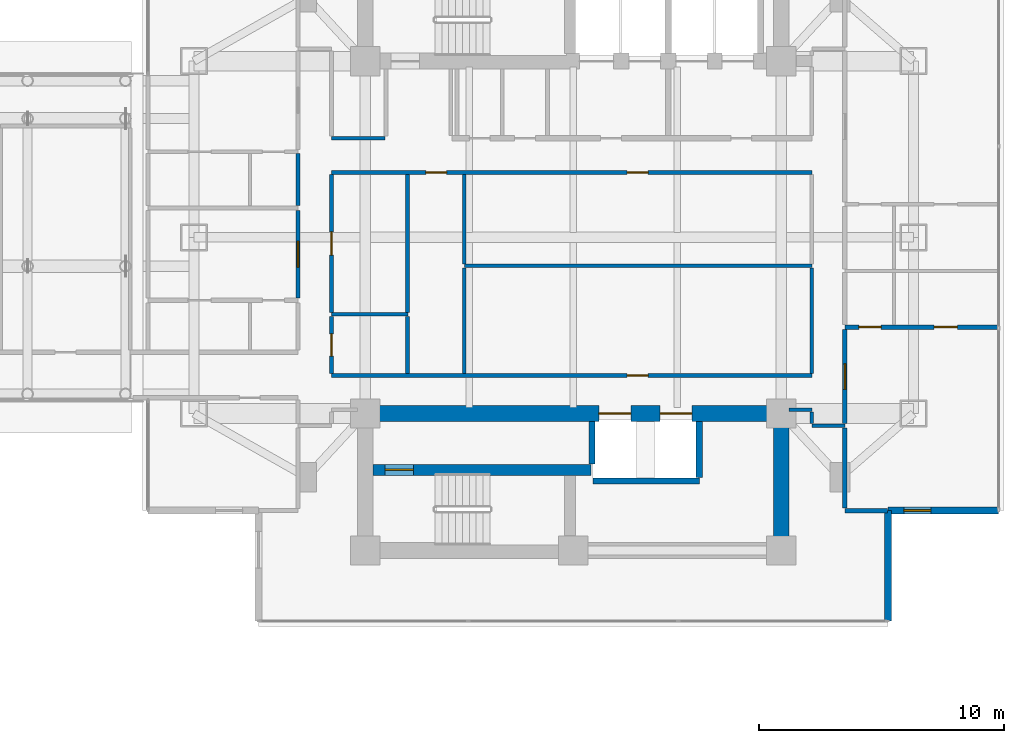
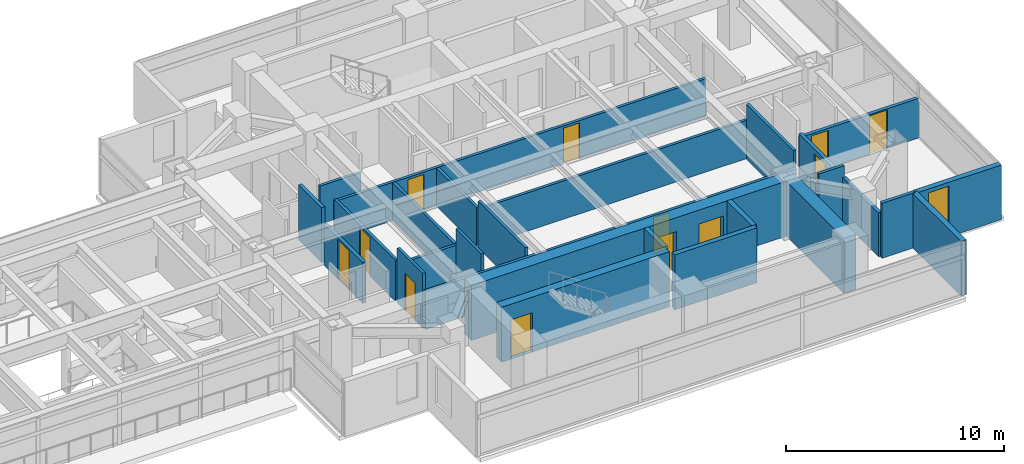
# One storey, part 20 of 28: 29 walls, 12 doors, 1 window, 13 openings.
"""IFC4 building model written with IfcOpenShell, lengths in metres."""

from ifc_helpers import new_model, si_unit, direction, frame, frame_2d, origin, place, context, subcontext, project, spatial, rectangle, extrude, material, layer, layer_set, type_object, element, fill, save


model = new_model("IFC4")

# Units and contexts
model_context = context("Model", 3, precision=1e-05, world=origin(), true_north=direction((0.0, 1.0)))
body_context = subcontext(model_context, "Body", "Model", "MODEL_VIEW")
ifc_project = project(units=[si_unit("LENGTHUNIT", "METRE"), si_unit("AREAUNIT", "SQUARE_METRE"), si_unit("VOLUMEUNIT", "CUBIC_METRE"), si_unit("PLANEANGLEUNIT", "RADIAN"), si_unit("MASSUNIT", "GRAM", prefix="KILO")], contexts=[model_context])

# Site, building, storey
site_placement = place(None, origin())
site = spatial("IfcSite", under=ifc_project, at=site_placement, CompositionType="ELEMENT")
building_placement = place(site_placement, origin())
building = spatial("IfcBuilding", under=site, at=building_placement, Name="Mirazonda Arch Towers", CompositionType="ELEMENT")
storey_placement = place(building_placement, frame((0.0, 0.0, 91.699951171875)))
storey = spatial("IfcBuildingStorey", under=building, at=storey_placement, Name="L25", CompositionType="ELEMENT", Elevation=91.699951171875)

# Wall, opening, door
ifc_material_1 = material(Name="Concrete C50/60", Category="concrete")
ifc_layer_1 = layer(ifc_material_1, 0.449951171875, Name="WALL-CORE-450")
ifc_layer_set_1 = layer_set([ifc_layer_1], Name="Concrete C50/60")
wall_type_1 = type_object("IfcWallType", Name="WALL-CORE-450", PredefinedType="SHEAR", material=ifc_layer_set_1)
wall_1_placement = place(storey_placement, frame((68.320068359375, 18.5, 0.0), z_axis=(0.0, 0.0, 1.0), x_axis=(1.0, 0.0, 0.0)))
wall_1 = element("IfcWall", 1, at=wall_1_placement, inside=storey, type_object=wall_type_1, Name="L25 Stair Core Shear Wall 014", PredefinedType="SHEAR", context=body_context, shape_type="SweptSolid", body=[
    extrude(rectangle(XDim=8.89990234375, YDim=0.449951171875, at=frame_2d((4.449951171875, 0.0))), origin(), (0.0, 0.0, 1.0), 3.080078125),
])
opening_1_placement = place(wall_1_placement, frame((0.4951171875, 0.0, 0.0)))
opening_1 = element("IfcOpeningElement", 2, at=opening_1_placement, cuts=wall_1, Name="Opening DR-135", PredefinedType="OPENING", context=body_context, shape_type="SweptSolid", body=[
    extrude(rectangle(XDim=1.14990234375, YDim=2.199951171875, at=frame_2d((0.574951171875, 1.10009765625))), frame((0.0, 0.23486328125, 0.0), z_axis=(0.0, -1.0, 0.0), x_axis=(1.0, 0.0, 0.0)), (0.0, 0.0, 1.0), 0.469970703125),
])
ifc_material_2 = material(Name="Architectural Brushed Steel S355", Category="steel")
door_type_1 = type_object("IfcDoorType", Name="DOOR-STAIR-FD90-1150", OperationType="NOTDEFINED", PredefinedType="DOOR", material=ifc_material_2)
door_1_placement = place(opening_1_placement, origin())
door_1 = element("IfcDoor", 3, at=door_1_placement, inside=storey, type_object=door_type_1, Name="L25 East Protected Stair South Door", OperationType="SINGLE_SWING_LEFT", OverallHeight=2.199951171875, OverallWidth=1.14990234375, PredefinedType="DOOR", context=body_context, shape_type="SweptSolid", body=[
    extrude(rectangle(XDim=1.14990234375, YDim=2.199951171875, at=frame_2d((0.574951171875, 1.10009765625))), frame((0.0, 0.02490234375, 0.0), z_axis=(0.0, -1.0, 0.0), x_axis=(1.0, 0.0, 0.0)), (0.0, 0.0, 1.0), 0.050048828125),
])
fill(opening_1, door_1)

# Wall
ifc_material_3 = material(Name="Concrete C60/75", Category="concrete")
ifc_layer_2 = layer(ifc_material_3, 0.64990234375, Name="WALL-CORE-650")
ifc_layer_set_2 = layer_set([ifc_layer_2], Name="Concrete C60/75")
wall_type_2 = type_object("IfcWallType", Name="WALL-CORE-650", PredefinedType="SHEAR", material=ifc_layer_set_2)
wall_2_placement = place(storey_placement, frame((85.0, 15.199951171875, 0.0), z_axis=(0.0, 0.0, 1.0), x_axis=(0.0, 1.0, 0.0)))
element("IfcWall", 4, at=wall_2_placement, inside=storey, type_object=wall_type_2, Name="L25 T2S-E Core Shear Wall", PredefinedType="SHEAR", context=body_context, shape_type="SweptSolid", body=[
    extrude(rectangle(XDim=5.60009765625, YDim=0.64990234375, at=frame_2d((2.800048828125, 0.0))), origin(), (0.0, 0.0, 1.0), 3.080078125),
])

# Wall, openings, doors
wall_3_placement = place(storey_placement, frame((68.0, 20.800048828125, 0.0), z_axis=(0.0, 0.0, 1.0), x_axis=(1.0, 0.0, 0.0)))
wall_3 = element("IfcWall", 5, at=wall_3_placement, inside=storey, type_object=wall_type_2, Name="L25 T2S-N Core Shear Wall", PredefinedType="SHEAR", context=body_context, shape_type="SweptSolid", body=[
    extrude(rectangle(XDim=17.0, YDim=0.64990234375, at=frame_2d((8.5, 0.0))), origin(), (0.0, 0.0, 1.0), 3.080078125),
])
opening_2_placement = place(wall_3_placement, frame((9.550048828125, 0.0, 0.0)))
opening_2 = element("IfcOpeningElement", 6, at=opening_2_placement, cuts=wall_3, Name="Opening LD-111", PredefinedType="OPENING", context=body_context, shape_type="SweptSolid", body=[
    extrude(rectangle(XDim=1.300048828125, YDim=2.300048828125, at=frame_2d((0.64990234375, 1.14990234375))), frame((0.0, 0.3349609375, 0.0), z_axis=(0.0, -1.0, 0.0), x_axis=(1.0, 0.0, 0.0)), (0.0, 0.0, 1.0), 0.669921875),
])
opening_3_placement = place(wall_3_placement, frame((12.050048828125, 0.0, 0.0)))
opening_3 = element("IfcOpeningElement", 7, at=opening_3_placement, cuts=wall_3, Name="Opening LD-111", PredefinedType="OPENING", context=body_context, shape_type="SweptSolid", body=[
    extrude(rectangle(XDim=1.300048828125, YDim=2.300048828125, at=frame_2d((0.64990234375, 1.14990234375))), frame((0.0, 0.3349609375, 0.0), z_axis=(0.0, -1.0, 0.0), x_axis=(1.0, 0.0, 0.0)), (0.0, 0.0, 1.0), 0.669921875),
])
door_type_2 = type_object("IfcDoorType", Name="DOOR-LIFT-LAND-1300", OperationType="NOTDEFINED", PredefinedType="DOOR", material=ifc_material_2)
door_2_placement = place(opening_2_placement, origin())
door_2 = element("IfcDoor", 8, at=door_2_placement, inside=storey, type_object=door_type_2, Name="L25 Lift Landing Sliding Door PL-T2H1", OperationType="DOUBLE_DOOR_SLIDING", OverallHeight=2.300048828125, OverallWidth=1.300048828125, PredefinedType="DOOR", context=body_context, shape_type="SweptSolid", body=[
    extrude(rectangle(XDim=1.300048828125, YDim=2.300048828125, at=frame_2d((0.64990234375, 1.14990234375))), frame((0.0, 0.02490234375, 0.0), z_axis=(0.0, -1.0, 0.0), x_axis=(1.0, 0.0, 0.0)), (0.0, 0.0, 1.0), 0.050048828125),
])
fill(opening_2, door_2)
door_3_placement = place(opening_3_placement, origin())
door_3 = element("IfcDoor", 9, at=door_3_placement, inside=storey, type_object=door_type_2, Name="L25 Lift Landing Sliding Door PL-T2H2", OperationType="DOUBLE_DOOR_SLIDING", OverallHeight=2.300048828125, OverallWidth=1.300048828125, PredefinedType="DOOR", context=body_context, shape_type="SweptSolid", body=[
    extrude(rectangle(XDim=1.300048828125, YDim=2.300048828125, at=frame_2d((0.64990234375, 1.14990234375))), frame((0.0, 0.02490234375, 0.0), z_axis=(0.0, -1.0, 0.0), x_axis=(1.0, 0.0, 0.0)), (0.0, 0.0, 1.0), 0.050048828125),
])
fill(opening_3, door_3)

# Wall, opening, window
ifc_material_4 = material(Name="Precast Concrete C40/50", Category="concrete")
ifc_layer_3 = layer(ifc_material_4, 0.280029296875, Name="WALL-EXT-WALL-280")
ifc_layer_set_3 = layer_set([ifc_layer_3], Name="Precast Concrete C40/50")
wall_type_3 = type_object("IfcWallType", Name="WALL-EXT-WALL-280", PredefinedType="SOLIDWALL", material=ifc_layer_set_3)
wall_4_placement = place(storey_placement, frame((89.3642578125, 16.83544921875, 0.0), z_axis=(0.0, 0.0, 1.0), x_axis=(1.0, 0.0, 0.0)))
wall_4 = element("IfcWall", 10, at=wall_4_placement, inside=storey, type_object=wall_type_3, Name="L25 T2 Corner Notch Return Wall WL-L25-T2-CSE1", PredefinedType="SOLIDWALL", context=body_context, shape_type="SweptSolid", body=[
    extrude(rectangle(XDim=4.516357421875, YDim=0.280029296875, at=frame_2d((2.25830078125, 0.0))), origin(), (0.0, 0.0, 1.0), 3.06005859375),
])
opening_4_placement = place(wall_4_placement, frame((0.64990234375, 0.0, 0.85009765625)))
opening_4 = element("IfcOpeningElement", 11, at=opening_4_placement, cuts=wall_4, Name="Opening WN-108", PredefinedType="OPENING", context=body_context, shape_type="SweptSolid", body=[
    extrude(rectangle(XDim=1.10009765625, YDim=2.0, at=frame_2d((0.550048828125, 1.0))), frame((0.0, 0.14990234375, 0.0), z_axis=(0.0, -1.0, 0.0), x_axis=(1.0, 0.0, 0.0)), (0.0, 0.0, 1.0), 0.300048828125),
])
ifc_material_5 = material(Name="Insulated Low-E Solar Glass", Category="glass")
window_type = type_object("IfcWindowType", Name="WIN-NOTCH-1100x2000", PartitioningType="SINGLE_PANEL", PredefinedType="WINDOW", material=ifc_material_5)
window_placement = place(opening_4_placement, origin())
window = element("IfcWindow", 12, at=window_placement, inside=storey, type_object=window_type, Name="L25 Punched Facade Window WN-L25-T2-CSE1", OverallHeight=2.0, OverallWidth=1.10009765625, PartitioningType="SINGLE_PANEL", PredefinedType="WINDOW", context=body_context, shape_type="SweptSolid", body=[
    extrude(rectangle(XDim=1.10009765625, YDim=2.0, at=frame_2d((0.550048828125, 1.0))), frame((0.0, 0.030029296875, 0.0), z_axis=(0.0, -1.0, 0.0), x_axis=(1.0, 0.0, 0.0)), (0.0, 0.0, 1.0), 0.06005859375),
])
fill(opening_4, window)

# Walls
wall_5_placement = place(storey_placement, frame((89.3642578125, 12.319091796875, 0.0), z_axis=(0.0, 0.0, 1.0), x_axis=(0.0, 1.0, 0.0)))
element("IfcWall", 13, at=wall_5_placement, inside=storey, type_object=wall_type_3, Name="L25 T2 Corner Notch Return Wall WL-L25-T2-CSE2", PredefinedType="SOLIDWALL", context=body_context, shape_type="SweptSolid", body=[
    extrude(rectangle(XDim=4.516357421875, YDim=0.280029296875, at=frame_2d((2.25830078125, 0.0))), origin(), (0.0, 0.0, 1.0), 3.06005859375),
])
ifc_material_6 = material(Name="Fire-Rated Gypsum Stud Partition")
ifc_layer_4 = layer(ifc_material_6, 0.14990234375, Name="WALL-PART-CORR-150")
ifc_layer_set_4 = layer_set([ifc_layer_4], Name="Fire-Rated Gypsum Stud Partition")
wall_type_4 = type_object("IfcWallType", Name="WALL-PART-CORR-150", PredefinedType="PARTITIONING", material=ifc_layer_set_4)
wall_6_placement = place(storey_placement, frame((86.25, 20.300048828125, 0.0), z_axis=(0.0, 0.0, 1.0), x_axis=(1.0, 0.0, 0.0)))
element("IfcWall", 14, at=wall_6_placement, inside=storey, type_object=wall_type_4, Name="L25 Interior Partition 017", PredefinedType="PARTITIONING", context=body_context, shape_type="SweptSolid", body=[
    extrude(rectangle(XDim=1.35009765625, YDim=0.14990234375, at=frame_2d((0.675048828125, 0.0))), origin(), (0.0, 0.0, 1.0), 3.080078125),
])
wall_7_placement = place(storey_placement, frame((85.320068359375, 20.949951171875, 0.0), z_axis=(0.0, 0.0, 1.0), x_axis=(1.0, 0.0, 0.0)))
element("IfcWall", 15, at=wall_7_placement, inside=storey, type_object=wall_type_4, Name="L25 Interior Partition 020", PredefinedType="PARTITIONING", context=body_context, shape_type="SweptSolid", body=[
    extrude(rectangle(XDim=0.929931640625, YDim=0.14990234375, at=frame_2d((0.46484375, 0.0))), origin(), (0.0, 0.0, 1.0), 2.47216796875),
])

# Wall, opening, door
wall_8_placement = place(storey_placement, frame((66.6201171875, 22.35009765625, 0.0), z_axis=(0.0, 0.0, 1.0), x_axis=(1.0, 0.0, 0.0)))
wall_8 = element("IfcWall", 16, at=wall_8_placement, inside=storey, type_object=wall_type_4, Name="L25 Interior Partition 023", PredefinedType="PARTITIONING", context=body_context, shape_type="SweptSolid", body=[
    extrude(rectangle(XDim=19.6298828125, YDim=0.14990234375, at=frame_2d((9.81494140625, 0.0))), origin(), (0.0, 0.0, 1.0), 2.14501953125),
])
opening_5_placement = place(wall_8_placement, frame((12.0849609375, 0.0, 0.0)))
opening_5 = element("IfcOpeningElement", 17, at=opening_5_placement, cuts=wall_8, Name="Opening DR-128", PredefinedType="OPENING", context=body_context, shape_type="SweptSolid", body=[
    extrude(rectangle(XDim=0.85009765625, YDim=2.010009765625, at=frame_2d((0.425048828125, 1.0048828125))), frame((0.0, 0.0849609375, 0.0), z_axis=(0.0, -1.0, 0.0), x_axis=(1.0, 0.0, 0.0)), (0.0, 0.0, 1.0), 0.169921875),
])
door_type_3 = type_object("IfcDoorType", Name="DOOR-RISER-FD60-850", OperationType="NOTDEFINED", PredefinedType="DOOR", material=ifc_material_2)
door_4_placement = place(opening_5_placement, origin())
door_4 = element("IfcDoor", 18, at=door_4_placement, inside=storey, type_object=door_type_3, Name="L25 Business Reading Study Door", OperationType="SINGLE_SWING_LEFT", OverallHeight=2.010009765625, OverallWidth=0.85009765625, PredefinedType="DOOR", context=body_context, shape_type="SweptSolid", body=[
    extrude(rectangle(XDim=0.85009765625, YDim=2.010009765625, at=frame_2d((0.425048828125, 1.0048828125))), frame((0.0, 0.02490234375, 0.0), z_axis=(0.0, -1.0, 0.0), x_axis=(1.0, 0.0, 0.0)), (0.0, 0.0, 1.0), 0.050048828125),
])
fill(opening_5, door_4)

# Walls
wall_9_placement = place(storey_placement, frame((66.6201171875, 24.85009765625, 0.0), z_axis=(0.0, 0.0, 1.0), x_axis=(1.0, 0.0, 0.0)))
element("IfcWall", 19, at=wall_9_placement, inside=storey, type_object=wall_type_4, Name="L25 Interior Partition 028", PredefinedType="PARTITIONING", context=body_context, shape_type="SweptSolid", body=[
    extrude(rectangle(XDim=3.1298828125, YDim=0.14990234375, at=frame_2d((1.56494140625, 0.0))), origin(), (0.0, 0.0, 1.0), 2.14501953125),
])
wall_10_placement = place(storey_placement, frame((72.050048828125, 26.83203125, 0.0), z_axis=(0.0, 0.0, 1.0), x_axis=(1.0, 0.0, 0.0)))
element("IfcWall", 20, at=wall_10_placement, inside=storey, type_object=wall_type_4, Name="L25 Interior Partition 032", PredefinedType="PARTITIONING", context=body_context, shape_type="SweptSolid", body=[
    extrude(rectangle(XDim=14.199951171875, YDim=0.14990234375, at=frame_2d((7.10009765625, 0.0))), origin(), (0.0, 0.0, 1.0), 2.14501953125),
])

# Wall, openings, doors
wall_11_placement = place(storey_placement, frame((66.6201171875, 30.64990234375, 0.0), z_axis=(0.0, 0.0, 1.0), x_axis=(1.0, 0.0, 0.0)))
wall_11 = element("IfcWall", 21, at=wall_11_placement, inside=storey, type_object=wall_type_4, Name="L25 Interior Partition 038", PredefinedType="PARTITIONING", context=body_context, shape_type="SweptSolid", body=[
    extrude(rectangle(XDim=19.6298828125, YDim=0.14990234375, at=frame_2d((9.81494140625, 0.0))), origin(), (0.0, 0.0, 1.0), 2.14501953125),
])
opening_6_placement = place(wall_11_placement, frame((3.85498046875, 0.0, 0.0)))
opening_6 = element("IfcOpeningElement", 22, at=opening_6_placement, cuts=wall_11, Name="Opening DR-128", PredefinedType="OPENING", context=body_context, shape_type="SweptSolid", body=[
    extrude(rectangle(XDim=0.85009765625, YDim=2.010009765625, at=frame_2d((0.425048828125, 1.0048828125))), frame((0.0, 0.0849609375, 0.0), z_axis=(0.0, -1.0, 0.0), x_axis=(1.0, 0.0, 0.0)), (0.0, 0.0, 1.0), 0.169921875),
])
opening_7_placement = place(wall_11_placement, frame((12.0849609375, 0.0, 0.0)))
opening_7 = element("IfcOpeningElement", 23, at=opening_7_placement, cuts=wall_11, Name="Opening DR-128", PredefinedType="OPENING", context=body_context, shape_type="SweptSolid", body=[
    extrude(rectangle(XDim=0.85009765625, YDim=2.010009765625, at=frame_2d((0.425048828125, 1.0048828125))), frame((0.0, 0.0849609375, 0.0), z_axis=(0.0, -1.0, 0.0), x_axis=(1.0, 0.0, 0.0)), (0.0, 0.0, 1.0), 0.169921875),
])
door_5_placement = place(opening_6_placement, origin())
door_5 = element("IfcDoor", 24, at=door_5_placement, inside=storey, type_object=door_type_3, Name="L25 L25 East Courtyard Study Door", OperationType="SINGLE_SWING_RIGHT", OverallHeight=2.010009765625, OverallWidth=0.85009765625, PredefinedType="DOOR", context=body_context, shape_type="SweptSolid", body=[
    extrude(rectangle(XDim=0.85009765625, YDim=2.010009765625, at=frame_2d((0.425048828125, 1.0048828125))), frame((0.0, 0.02490234375, 0.0), z_axis=(0.0, -1.0, 0.0), x_axis=(1.0, 0.0, 0.0)), (0.0, 0.0, 1.0), 0.050048828125),
])
fill(opening_6, door_5)
door_6_placement = place(opening_7_placement, origin())
door_6 = element("IfcDoor", 25, at=door_6_placement, inside=storey, type_object=door_type_3, Name="L25 Concierge Salon Door", OperationType="SINGLE_SWING_RIGHT", OverallHeight=2.010009765625, OverallWidth=0.85009765625, PredefinedType="DOOR", context=body_context, shape_type="SweptSolid", body=[
    extrude(rectangle(XDim=0.85009765625, YDim=2.010009765625, at=frame_2d((0.425048828125, 1.0048828125))), frame((0.0, 0.02490234375, 0.0), z_axis=(0.0, -1.0, 0.0), x_axis=(1.0, 0.0, 0.0)), (0.0, 0.0, 1.0), 0.050048828125),
])
fill(opening_7, door_6)

# Wall
wall_12_placement = place(storey_placement, frame((66.6201171875, 32.050048828125, 0.0), z_axis=(0.0, 0.0, 1.0), x_axis=(1.0, 0.0, 0.0)))
element("IfcWall", 26, at=wall_12_placement, inside=storey, type_object=wall_type_4, Name="L25 Interior Partition 041", PredefinedType="PARTITIONING", context=body_context, shape_type="SweptSolid", body=[
    extrude(rectangle(XDim=2.179931640625, YDim=0.14990234375, at=frame_2d((1.08984375, 0.0))), origin(), (0.0, 0.0, 1.0), 2.14501953125),
])

# Wall, opening, door
wall_13_placement = place(storey_placement, frame((66.6201171875, 22.43505859375, 0.0), z_axis=(0.0, 0.0, 1.0), x_axis=(0.0, 1.0, 0.0)))
wall_13 = element("IfcWall", 27, at=wall_13_placement, inside=storey, type_object=wall_type_4, Name="L25 Interior Partition 143", PredefinedType="PARTITIONING", context=body_context, shape_type="SweptSolid", body=[
    extrude(rectangle(XDim=2.329833984375, YDim=0.14990234375, at=frame_2d((1.1650390625, 0.0))), origin(), (0.0, 0.0, 1.0), 3.080078125),
])
opening_8_placement = place(wall_13_placement, frame((0.715087890625, 0.0, 0.0)))
opening_8 = element("IfcOpeningElement", 28, at=opening_8_placement, cuts=wall_13, Name="Opening DR-120", PredefinedType="OPENING", context=body_context, shape_type="SweptSolid", body=[
    extrude(rectangle(XDim=0.89990234375, YDim=2.10009765625, at=frame_2d((0.449951171875, 1.050048828125))), frame((0.0, 0.0849609375, 0.0), z_axis=(0.0, -1.0, 0.0), x_axis=(1.0, 0.0, 0.0)), (0.0, 0.0, 1.0), 0.169921875),
])
door_type_4 = type_object("IfcDoorType", Name="DOOR-WC-900", OperationType="NOTDEFINED", PredefinedType="DOOR", material=ifc_material_2)
door_7_placement = place(opening_8_placement, origin())
door_7 = element("IfcDoor", 29, at=door_7_placement, inside=storey, type_object=door_type_4, Name="L25 Tower 2 Common Accessible WC Door", OperationType="SINGLE_SWING_RIGHT", OverallHeight=2.10009765625, OverallWidth=0.89990234375, PredefinedType="DOOR", context=body_context, shape_type="SweptSolid", body=[
    extrude(rectangle(XDim=0.89990234375, YDim=2.10009765625, at=frame_2d((0.449951171875, 1.050048828125))), frame((0.0, 0.02490234375, 0.0), z_axis=(0.0, -1.0, 0.0), x_axis=(1.0, 0.0, 0.0)), (0.0, 0.0, 1.0), 0.050048828125),
])
fill(opening_8, door_7)

wall_14_placement = place(storey_placement, frame((66.6201171875, 24.93505859375, 0.0), z_axis=(0.0, 0.0, 1.0), x_axis=(0.0, 1.0, 0.0)))
wall_14 = element("IfcWall", 30, at=wall_14_placement, inside=storey, type_object=wall_type_4, Name="L25 Interior Partition 144", PredefinedType="PARTITIONING", context=body_context, shape_type="SweptSolid", body=[
    extrude(rectangle(XDim=5.6298828125, YDim=0.14990234375, at=frame_2d((2.81494140625, 0.0))), origin(), (0.0, 0.0, 1.0), 2.299072265625),
])
opening_9_placement = place(wall_14_placement, frame((2.340087890625, 0.0, 0.0)))
opening_9 = element("IfcOpeningElement", 31, at=opening_9_placement, cuts=wall_14, Name="Opening DR-104", PredefinedType="OPENING", context=body_context, shape_type="SweptSolid", body=[
    extrude(rectangle(XDim=0.949951171875, YDim=2.14990234375, at=frame_2d((0.47509765625, 1.074951171875))), frame((0.0, 0.0849609375, 0.0), z_axis=(0.0, -1.0, 0.0), x_axis=(1.0, 0.0, 0.0)), (0.0, 0.0, 1.0), 0.169921875),
])
door_type_5 = type_object("IfcDoorType", Name="DOOR-ROOM-950", OperationType="NOTDEFINED", PredefinedType="DOOR", material=ifc_material_2)
door_8_placement = place(opening_9_placement, origin())
door_8 = element("IfcDoor", 32, at=door_8_placement, inside=storey, type_object=door_type_5, Name="L25 L25 East Courtyard Reading Study Door", OperationType="SINGLE_SWING_LEFT", OverallHeight=2.14990234375, OverallWidth=0.949951171875, PredefinedType="DOOR", context=body_context, shape_type="SweptSolid", body=[
    extrude(rectangle(XDim=0.949951171875, YDim=2.14990234375, at=frame_2d((0.47509765625, 1.074951171875))), frame((0.0, 0.02490234375, 0.0), z_axis=(0.0, -1.0, 0.0), x_axis=(1.0, 0.0, 0.0)), (0.0, 0.0, 1.0), 0.050048828125),
])
fill(opening_9, door_8)

# Walls
wall_15_placement = place(storey_placement, frame((69.723388671875, 22.43505859375, 0.0), z_axis=(0.0, 0.0, 1.0), x_axis=(0.0, 1.0, 0.0)))
element("IfcWall", 33, at=wall_15_placement, inside=storey, type_object=wall_type_4, Name="L25 Interior Partition 147", PredefinedType="PARTITIONING", context=body_context, shape_type="SweptSolid", body=[
    extrude(rectangle(XDim=2.329833984375, YDim=0.14990234375, at=frame_2d((1.1650390625, 0.0))), origin(), (0.0, 0.0, 1.0), 3.080078125),
])
wall_16_placement = place(storey_placement, frame((69.723388671875, 24.93505859375, 0.0), z_axis=(0.0, 0.0, 1.0), x_axis=(0.0, 1.0, 0.0)))
element("IfcWall", 34, at=wall_16_placement, inside=storey, type_object=wall_type_4, Name="L25 Interior Partition 148", PredefinedType="PARTITIONING", context=body_context, shape_type="SweptSolid", body=[
    extrude(rectangle(XDim=5.6298828125, YDim=0.14990234375, at=frame_2d((2.81494140625, 0.0))), origin(), (0.0, 0.0, 1.0), 2.14501953125),
])
wall_17_placement = place(storey_placement, frame((72.050048828125, 22.43505859375, 0.0), z_axis=(0.0, 0.0, 1.0), x_axis=(0.0, 1.0, 0.0)))
element("IfcWall", 35, at=wall_17_placement, inside=storey, type_object=wall_type_4, Name="L25 Interior Partition 151", PredefinedType="PARTITIONING", context=body_context, shape_type="SweptSolid", body=[
    extrude(rectangle(XDim=4.31201171875, YDim=0.14990234375, at=frame_2d((2.156005859375, 0.0))), origin(), (0.0, 0.0, 1.0), 2.609130859375),
])
wall_18_placement = place(storey_placement, frame((72.050048828125, 26.9169921875, 0.0), z_axis=(0.0, 0.0, 1.0), x_axis=(0.0, 1.0, 0.0)))
element("IfcWall", 36, at=wall_18_placement, inside=storey, type_object=wall_type_4, Name="L25 Interior Partition 152", PredefinedType="PARTITIONING", context=body_context, shape_type="SweptSolid", body=[
    extrude(rectangle(XDim=3.64794921875, YDim=0.14990234375, at=frame_2d((1.823974609375, 0.0))), origin(), (0.0, 0.0, 1.0), 2.14501953125),
])
wall_19_placement = place(storey_placement, frame((86.25, 20.385009765625, 0.0), z_axis=(0.0, 0.0, 1.0), x_axis=(0.0, 1.0, 0.0)))
element("IfcWall", 37, at=wall_19_placement, inside=storey, type_object=wall_type_4, Name="L25 Interior Partition 162", PredefinedType="PARTITIONING", context=body_context, shape_type="SweptSolid", body=[
    extrude(rectangle(XDim=0.47998046875, YDim=0.14990234375, at=frame_2d((0.239990234375, 0.0))), origin(), (0.0, 0.0, 1.0), 2.47216796875),
])
wall_20_placement = place(storey_placement, frame((86.25, 22.43505859375, 0.0), z_axis=(0.0, 0.0, 1.0), x_axis=(0.0, 1.0, 0.0)))
element("IfcWall", 38, at=wall_20_placement, inside=storey, type_object=wall_type_4, Name="L25 Interior Partition 163", PredefinedType="PARTITIONING", context=body_context, shape_type="SweptSolid", body=[
    extrude(rectangle(XDim=4.31201171875, YDim=0.14990234375, at=frame_2d((2.156005859375, 0.0))), origin(), (0.0, 0.0, 1.0), 3.080078125),
])
ifc_material_7 = material(Name="Fire-Rated Gypsum Twin-Stud Assembly")
ifc_layer_5 = layer(ifc_material_7, 0.179931640625, Name="WALL-PART-DEMISE-180")
ifc_layer_set_5 = layer_set([ifc_layer_5], Name="Fire-Rated Gypsum Twin-Stud Assembly")
wall_type_5 = type_object("IfcWallType", Name="WALL-PART-DEMISE-180", PredefinedType="PARTITIONING", material=ifc_layer_set_5)
wall_21_placement = place(storey_placement, frame((87.60009765625, 16.8349609375, 0.0), z_axis=(0.0, 0.0, 1.0), x_axis=(1.0, 0.0, 0.0)))
element("IfcWall", 39, at=wall_21_placement, inside=storey, type_object=wall_type_5, Name="L25 Interior Partition 010", PredefinedType="PARTITIONING", context=body_context, shape_type="SweptSolid", body=[
    extrude(rectangle(XDim=1.744140625, YDim=0.179931640625, at=frame_2d((0.8720703125, 0.0))), origin(), (0.0, 0.0, 1.0), 3.080078125),
])

# Wall, openings, doors
wall_22_placement = place(storey_placement, frame((87.60009765625, 24.33203125, 0.0), z_axis=(0.0, 0.0, 1.0), x_axis=(1.0, 0.0, 0.0)))
wall_22 = element("IfcWall", 40, at=wall_22_placement, inside=storey, type_object=wall_type_5, Name="L25 Interior Partition 027", PredefinedType="PARTITIONING", context=body_context, shape_type="SweptSolid", body=[
    extrude(rectangle(XDim=6.27978515625, YDim=0.179931640625, at=frame_2d((3.139892578125, 0.0))), origin(), (0.0, 0.0, 1.0), 2.216064453125),
])
opening_10_placement = place(wall_22_placement, frame((3.64990234375, 0.0, 0.0)))
opening_10 = element("IfcOpeningElement", 41, at=opening_10_placement, cuts=wall_22, Name="Opening DR-104", PredefinedType="OPENING", context=body_context, shape_type="SweptSolid", body=[
    extrude(rectangle(XDim=0.949951171875, YDim=2.14990234375, at=frame_2d((0.47509765625, 1.074951171875))), frame((0.0, 0.099853515625, 0.0), z_axis=(0.0, -1.0, 0.0), x_axis=(1.0, 0.0, 0.0)), (0.0, 0.0, 1.0), 0.199951171875),
])
opening_11_placement = place(wall_22_placement, frame((0.574951171875, 0.0, 0.0)))
opening_11 = element("IfcOpeningElement", 42, at=opening_11_placement, cuts=wall_22, Name="Opening DR-120", PredefinedType="OPENING", context=body_context, shape_type="SweptSolid", body=[
    extrude(rectangle(XDim=0.89990234375, YDim=2.10009765625, at=frame_2d((0.449951171875, 1.050048828125))), frame((0.0, 0.099853515625, 0.0), z_axis=(0.0, -1.0, 0.0), x_axis=(1.0, 0.0, 0.0)), (0.0, 0.0, 1.0), 0.199951171875),
])
door_9_placement = place(opening_10_placement, origin())
door_9 = element("IfcDoor", 43, at=door_9_placement, inside=storey, type_object=door_type_5, Name="L25 Suite Bedroom 1 Door", OperationType="SINGLE_SWING_RIGHT", OverallHeight=2.14990234375, OverallWidth=0.949951171875, PredefinedType="DOOR", context=body_context, shape_type="SweptSolid", body=[
    extrude(rectangle(XDim=0.949951171875, YDim=2.14990234375, at=frame_2d((0.47509765625, 1.074951171875))), frame((0.0, 0.02490234375, 0.0), z_axis=(0.0, -1.0, 0.0), x_axis=(1.0, 0.0, 0.0)), (0.0, 0.0, 1.0), 0.050048828125),
])
fill(opening_10, door_9)
door_10_placement = place(opening_11_placement, origin())
door_10 = element("IfcDoor", 44, at=door_10_placement, inside=storey, type_object=door_type_4, Name="L25 Suite En-Suite Bathroom 1 Door", OperationType="SINGLE_SWING_LEFT", OverallHeight=2.10009765625, OverallWidth=0.89990234375, PredefinedType="DOOR", context=body_context, shape_type="SweptSolid", body=[
    extrude(rectangle(XDim=0.89990234375, YDim=2.10009765625, at=frame_2d((0.449951171875, 1.050048828125))), frame((0.0, 0.02490234375, 0.0), z_axis=(0.0, -1.0, 0.0), x_axis=(1.0, 0.0, 0.0)), (0.0, 0.0, 1.0), 0.050048828125),
])
fill(opening_11, door_10)

# Wall, opening, door
wall_23_placement = place(storey_placement, frame((65.25, 25.52392578125, 0.0), z_axis=(0.0, 0.0, 1.0), x_axis=(0.0, 1.0, 0.0)))
wall_23 = element("IfcWall", 45, at=wall_23_placement, inside=storey, type_object=wall_type_5, Name="L25 Interior Partition 138", PredefinedType="PARTITIONING", context=body_context, shape_type="SweptSolid", body=[
    extrude(rectangle(XDim=3.576171875, YDim=0.179931640625, at=frame_2d((1.7880859375, 0.0))), origin(), (0.0, 0.0, 1.0), 2.299072265625),
])
opening_12_placement = place(wall_23_placement, frame((1.262939453125, 0.0, 0.0)))
opening_12 = element("IfcOpeningElement", 46, at=opening_12_placement, cuts=wall_23, Name="Opening DR-121", PredefinedType="OPENING", context=body_context, shape_type="SweptSolid", body=[
    extrude(rectangle(XDim=1.050048828125, YDim=2.199951171875, at=frame_2d((0.52490234375, 1.10009765625))), frame((0.0, 0.099853515625, 0.0), z_axis=(0.0, -1.0, 0.0), x_axis=(1.0, 0.0, 0.0)), (0.0, 0.0, 1.0), 0.199951171875),
])
door_type_6 = type_object("IfcDoorType", Name="DOOR-SUITE-FD60-1050", OperationType="NOTDEFINED", PredefinedType="DOOR", material=ifc_material_2)
door_11_placement = place(opening_12_placement, origin())
door_11 = element("IfcDoor", 47, at=door_11_placement, inside=storey, type_object=door_type_6, Name="L25 King Hotel Guestroom 1 Door", OperationType="SINGLE_SWING_LEFT", OverallHeight=2.199951171875, OverallWidth=1.050048828125, PredefinedType="DOOR", context=body_context, shape_type="SweptSolid", body=[
    extrude(rectangle(XDim=1.050048828125, YDim=2.199951171875, at=frame_2d((0.52490234375, 1.10009765625))), frame((0.0, 0.02490234375, 0.0), z_axis=(0.0, -1.0, 0.0), x_axis=(1.0, 0.0, 0.0)), (0.0, 0.0, 1.0), 0.050048828125),
])
fill(opening_12, door_11)

# Walls
wall_24_placement = place(storey_placement, frame((65.25, 29.300048828125, 0.0), z_axis=(0.0, 0.0, 1.0), x_axis=(0.0, 1.0, 0.0)))
element("IfcWall", 48, at=wall_24_placement, inside=storey, type_object=wall_type_5, Name="L25 Interior Partition 139", PredefinedType="PARTITIONING", context=body_context, shape_type="SweptSolid", body=[
    extrude(rectangle(XDim=2.114990234375, YDim=0.179931640625, at=frame_2d((1.0576171875, 0.0))), origin(), (0.0, 0.0, 1.0), 3.080078125),
])
wall_25_placement = place(storey_placement, frame((87.60009765625, 16.93505859375, 0.0), z_axis=(0.0, 0.0, 1.0), x_axis=(0.0, 1.0, 0.0)))
element("IfcWall", 49, at=wall_25_placement, inside=storey, type_object=wall_type_5, Name="L25 Interior Partition 167", PredefinedType="PARTITIONING", context=body_context, shape_type="SweptSolid", body=[
    extrude(rectangle(XDim=3.280029296875, YDim=0.179931640625, at=frame_2d((1.64013671875, 0.0))), origin(), (0.0, 0.0, 1.0), 2.4560546875),
])

# Wall, opening, door
wall_26_placement = place(storey_placement, frame((87.60009765625, 20.385009765625, 0.0), z_axis=(0.0, 0.0, 1.0), x_axis=(0.0, 1.0, 0.0)))
wall_26 = element("IfcWall", 50, at=wall_26_placement, inside=storey, type_object=wall_type_5, Name="L25 Interior Partition 168", PredefinedType="PARTITIONING", context=body_context, shape_type="SweptSolid", body=[
    extrude(rectangle(XDim=3.846923828125, YDim=0.179931640625, at=frame_2d((1.92333984375, 0.0))), origin(), (0.0, 0.0, 1.0), 2.47216796875),
])
opening_13_placement = place(wall_26_placement, frame((1.3984375, 0.0, 0.0)))
opening_13 = element("IfcOpeningElement", 51, at=opening_13_placement, cuts=wall_26, Name="Opening DR-121", PredefinedType="OPENING", context=body_context, shape_type="SweptSolid", body=[
    extrude(rectangle(XDim=1.050048828125, YDim=2.199951171875, at=frame_2d((0.52490234375, 1.10009765625))), frame((0.0, 0.099853515625, 0.0), z_axis=(0.0, -1.0, 0.0), x_axis=(1.0, 0.0, 0.0)), (0.0, 0.0, 1.0), 0.199951171875),
])
door_12_placement = place(opening_13_placement, origin())
door_12 = element("IfcDoor", 52, at=door_12_placement, inside=storey, type_object=door_type_6, Name="L25 Panoramic Suite Salon 1 Door", OperationType="SINGLE_SWING_LEFT", OverallHeight=2.199951171875, OverallWidth=1.050048828125, PredefinedType="DOOR", context=body_context, shape_type="SweptSolid", body=[
    extrude(rectangle(XDim=1.050048828125, YDim=2.199951171875, at=frame_2d((0.52490234375, 1.10009765625))), frame((0.0, 0.02490234375, 0.0), z_axis=(0.0, -1.0, 0.0), x_axis=(1.0, 0.0, 0.0)), (0.0, 0.0, 1.0), 0.050048828125),
])
fill(opening_13, door_12)

# Walls
ifc_material_8 = material(Name="Concrete C40/50", Category="concrete")
ifc_layer_6 = layer(ifc_material_8, 0.25, Name="WALL-SHAFT-250")
ifc_layer_set_6 = layer_set([ifc_layer_6], Name="Concrete C40/50")
wall_type_6 = type_object("IfcWallType", Name="WALL-SHAFT-250", PredefinedType="SOLIDWALL", material=ifc_layer_set_6)
wall_27_placement = place(storey_placement, frame((77.300048828125, 18.050048828125, 0.0), z_axis=(0.0, 0.0, 1.0), x_axis=(1.0, 0.0, 0.0)))
element("IfcWall", 53, at=wall_27_placement, inside=storey, type_object=wall_type_6, Name="L25 Interior Partition 011", PredefinedType="SOLIDWALL", context=body_context, shape_type="SweptSolid", body=[
    extrude(rectangle(XDim=4.349853515625, YDim=0.25, at=frame_2d((2.1748046875, 0.0))), origin(), (0.0, 0.0, 1.0), 3.080078125),
])
wall_28_placement = place(storey_placement, frame((77.260009765625, 18.735107421875, 0.0), z_axis=(0.0, 0.0, 1.0), x_axis=(0.0, 1.0, 0.0)))
element("IfcWall", 54, at=wall_28_placement, inside=storey, type_object=wall_type_6, Name="L25 Interior Partition 157", PredefinedType="SOLIDWALL", context=body_context, shape_type="SweptSolid", body=[
    extrude(rectangle(XDim=1.744873046875, YDim=0.25, at=frame_2d((0.87255859375, 0.0))), origin(), (0.0, 0.0, 1.0), 3.080078125),
])
wall_29_placement = place(storey_placement, frame((81.64990234375, 18.18505859375, 0.0), z_axis=(0.0, 0.0, 1.0), x_axis=(0.0, 1.0, 0.0)))
element("IfcWall", 55, at=wall_29_placement, inside=storey, type_object=wall_type_6, Name="L25 Interior Partition 160", PredefinedType="SOLIDWALL", context=body_context, shape_type="SweptSolid", body=[
    extrude(rectangle(XDim=2.294921875, YDim=0.25, at=frame_2d((1.1474609375, 0.0))), origin(), (0.0, 0.0, 1.0), 3.080078125),
])

save(model, "model.ifc")
